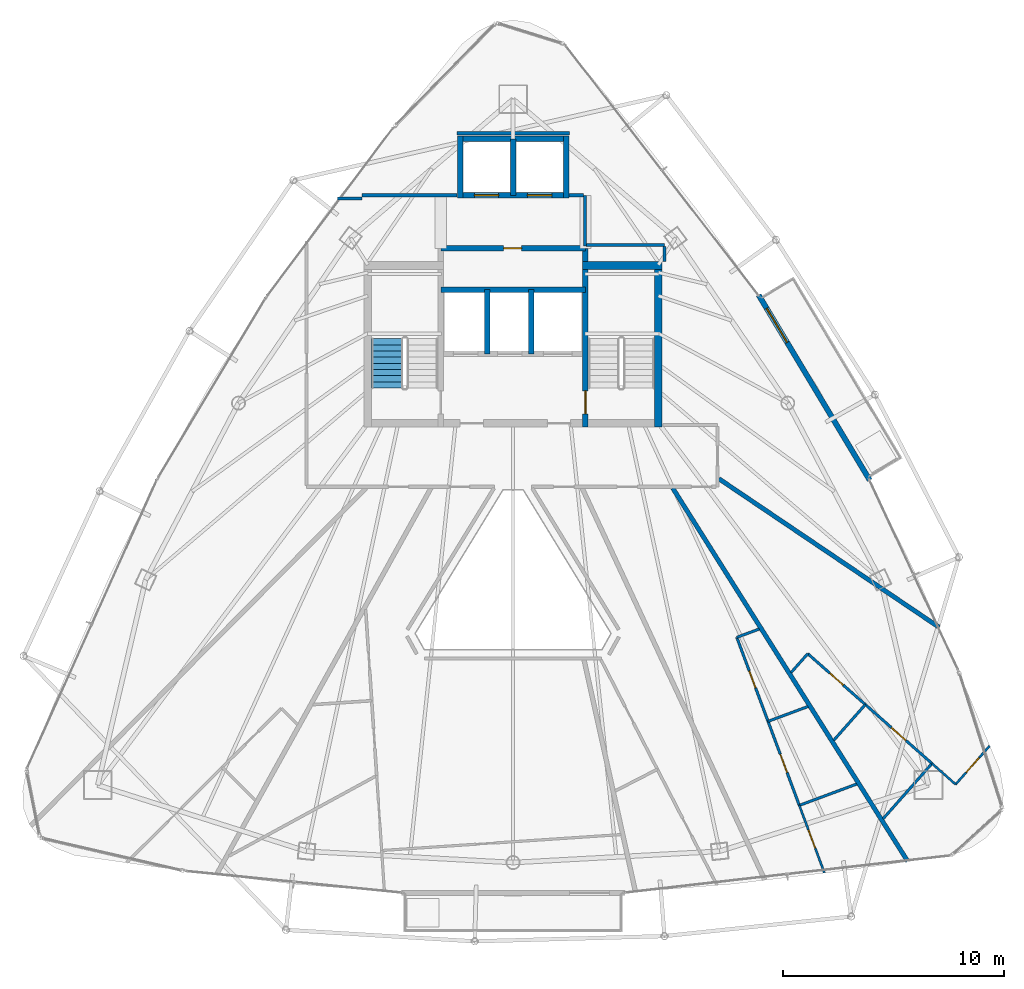
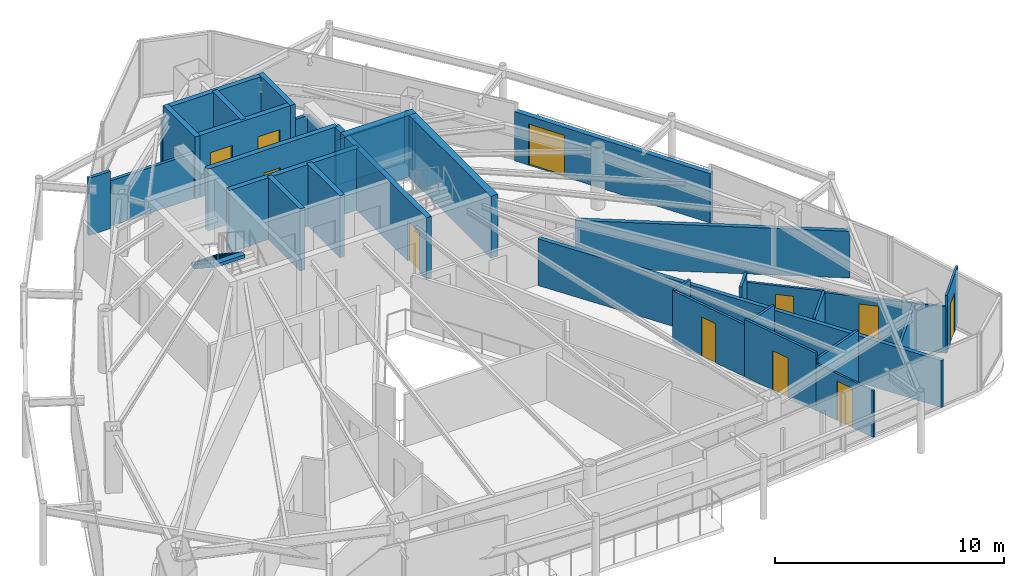
# One storey, part 26 of 29: 35 walls, 11 doors, 1 stair flight, 11 openings, 1 element without a shape of its own.
"""IFC4 building model written with IfcOpenShell, lengths in metres."""

from ifc_helpers import new_model, si_unit, direction, frame, frame_2d, origin, place, context, subcontext, project, spatial, polyline, rectangle, outline, extrude, material, layer, layer_set, type_object, element, fill, aggregate, save


model = new_model("IFC4")

# Units and contexts
model_context = context("Model", 3, precision=1e-05, world=origin(), true_north=direction((0.0, 1.0)))
body_context = subcontext(model_context, "Body", "Model", "MODEL_VIEW")
ifc_project = project(units=[si_unit("LENGTHUNIT", "METRE"), si_unit("AREAUNIT", "SQUARE_METRE"), si_unit("VOLUMEUNIT", "CUBIC_METRE"), si_unit("PLANEANGLEUNIT", "RADIAN"), si_unit("MASSUNIT", "GRAM", prefix="KILO")], contexts=[model_context])

# Site, building, storey
site_placement = place(None, origin())
site = spatial("IfcSite", under=ifc_project, at=site_placement, CompositionType="ELEMENT")
building_placement = place(site_placement, origin())
building = spatial("IfcBuilding", under=site, at=building_placement, Name="Orvanel Arch Residences", CompositionType="ELEMENT")
storey_placement = place(building_placement, frame((0.0, 0.0, 250.25)))
storey = spatial("IfcBuildingStorey", under=building, at=storey_placement, Name="L71", CompositionType="ELEMENT", Elevation=250.25)

# Wall, opening, door
ifc_material_1 = material(Name="Precast concrete N50 (50 MPa)", Category="concrete")
ifc_layer_1 = layer(ifc_material_1, 0.239990234375)
ifc_layer_set_1 = layer_set([ifc_layer_1], Name="Precast concrete N50 (50 MPa)")
wall_type_1 = type_object("IfcWallType", Name="EW-BAL-240", PredefinedType="SOLIDWALL", material=ifc_layer_set_1)
wall_1_placement = place(storey_placement, frame((49.14599609375, 24.14697265625, 0.0), z_axis=(0.0, 0.0, 1.0), x_axis=(-0.514275407092, 0.857625096216, 0.0)))
wall_1 = element("IfcWall", 1, at=wall_1_placement, inside=storey, type_object=wall_type_1, Name="L71 Balcony Threshold Wall Face 3", PredefinedType="SOLIDWALL", context=body_context, shape_type="SweptSolid", body=[
    extrude(rectangle(XDim=9.777099609375, YDim=0.239990234375, at=frame_2d((4.888671875, 0.0))), origin(), (0.0, 0.0, 1.0), 2.6240234375),
])
opening_1_placement = place(wall_1_placement, frame((7.279052734375, 0.0, 0.0)))
opening_1 = element("IfcOpeningElement", 2, at=opening_1_placement, cuts=wall_1, Name="Opening DB-180", PredefinedType="OPENING", context=body_context, shape_type="SweptSolid", body=[
    extrude(rectangle(XDim=1.800048828125, YDim=2.199951171875, at=frame_2d((0.89990234375, 1.10009765625))), frame((0.0, 0.1298828125, 0.0), z_axis=(0.0, -1.0, 0.0), x_axis=(1.0, 0.0, 0.0)), (0.0, 0.0, 1.0), 0.260009765625),
])
ifc_material_2 = material(Name="Bronze-anodised aluminium AA6063-T6", Category="aluminium")
door_type_1 = type_object("IfcDoorType", Name="DR-BAL-1800", OperationType="NOTDEFINED", PredefinedType="DOOR", material=ifc_material_2)
door_1_placement = place(opening_1_placement, origin())
door_1 = element("IfcDoor", 3, at=door_1_placement, inside=storey, type_object=door_type_1, Name="DR-L71-BAL-F3 L71 Planted Balcony Access Door Face 3", OperationType="SINGLE_SWING_RIGHT", OverallHeight=2.199951171875, OverallWidth=1.800048828125, PredefinedType="DOOR", context=body_context, shape_type="SweptSolid", body=[
    extrude(rectangle(XDim=1.800048828125, YDim=2.199951171875, at=frame_2d((0.89990234375, 1.10009765625))), frame((0.0, 0.02490234375, 0.0), z_axis=(0.0, -1.0, 0.0), x_axis=(1.0, 0.0, 0.0)), (0.0, 0.0, 1.0), 0.050048828125),
])
fill(opening_1, door_1)

ifc_material_3 = material(Name="Concrete N50 (50 MPa)", Category="concrete")
ifc_layer_2 = layer(ifc_material_3, 0.25)
ifc_layer_set_2 = layer_set([ifc_layer_2], Name="Concrete N50 (50 MPa)")
wall_type_2 = type_object("IfcWallType", Name="SW-CORE-250", PredefinedType="SHEAR", material=ifc_layer_set_2)
wall_2_placement = place(storey_placement, frame((36.27490234375, 26.550048828125, 0.0), z_axis=(0.0, 0.0, 1.0), x_axis=(0.0, 1.0, 0.0)))
wall_2 = element("IfcWall", 4, at=wall_2_placement, inside=storey, type_object=wall_type_2, Name="L71 East Inner Core Spine Shear Wall", PredefinedType="SHEAR", context=body_context, shape_type="SweptSolid", body=[
    extrude(rectangle(XDim=8.099853515625, YDim=0.25, at=frame_2d((4.0498046875, 0.0))), origin(), (0.0, 0.0, 1.0), 3.300048828125),
])
opening_2_placement = place(wall_2_placement, frame((0.60009765625, 0.0, 0.0)))
opening_2 = element("IfcOpeningElement", 5, at=opening_2_placement, cuts=wall_2, Name="Opening DF-120", PredefinedType="OPENING", context=body_context, shape_type="SweptSolid", body=[
    extrude(rectangle(XDim=1.050048828125, YDim=2.14990234375, at=frame_2d((0.52490234375, 1.074951171875))), frame((0.0, 0.135009765625, 0.0), z_axis=(0.0, -1.0, 0.0), x_axis=(1.0, 0.0, 0.0)), (0.0, 0.0, 1.0), 0.27001953125),
])
ifc_material_4 = material(Name="Galvanised steel fire-resisting door assembly", Category="steel")
door_type_2 = type_object("IfcDoorType", Name="DR-FD120-1050", OperationType="NOTDEFINED", PredefinedType="DOOR", material=ifc_material_4)
door_2_placement = place(opening_2_placement, origin())
door_2 = element("IfcDoor", 6, at=door_2_placement, inside=storey, type_object=door_type_2, Name="DR-L71-ST2 L71 Stair 2 Fire Door", OperationType="SINGLE_SWING_RIGHT", OverallHeight=2.14990234375, OverallWidth=1.050048828125, PredefinedType="DOOR", context=body_context, shape_type="SweptSolid", body=[
    extrude(rectangle(XDim=1.050048828125, YDim=2.14990234375, at=frame_2d((0.52490234375, 1.074951171875))), frame((0.0, 0.02490234375, 0.0), z_axis=(0.0, -1.0, 0.0), x_axis=(1.0, 0.0, 0.0)), (0.0, 0.0, 1.0), 0.050048828125),
])
fill(opening_2, door_2)

# Walls
wall_3_placement = place(storey_placement, frame((29.72509765625, 32.77490234375, 0.0), z_axis=(0.0, 0.0, 1.0), x_axis=(1.0, 0.0, 0.0)))
element("IfcWall", 7, at=wall_3_placement, inside=storey, type_object=wall_type_2, Name="L71 Emergency Lift Back Core Shear Wall", PredefinedType="SHEAR", context=body_context, shape_type="SweptSolid", body=[
    extrude(rectangle(XDim=6.5498046875, YDim=0.25, at=frame_2d((3.27490234375, 0.0))), origin(), (0.0, 0.0, 1.0), 3.300048828125),
])
for number, where, z_axis, x_axis, name in (
    (8, (31.824951171875, 29.875, 0.0), (0.0, 0.0, 1.0), (0.0, 1.0, 0.0), "L71 Emergency Lift Inter-Shaft Wall F12"),
    (9, (33.824951171875, 29.875, 0.0), (0.0, 0.0, 1.0), (0.0, 1.0, 0.0), "L71 Emergency Lift Inter-Shaft Wall F2G"),
):
    element("IfcWall", number, at=place(storey_placement, frame(where, z_axis=z_axis, x_axis=x_axis)), inside=storey, type_object=wall_type_2, Name=name, PredefinedType="SHEAR", context=body_context, shape_type="SweptSolid", body=[
        extrude(rectangle(XDim=2.89990234375, YDim=0.25, at=frame_2d((1.449951171875, 0.0))), origin(), (0.0, 0.0, 1.0), 3.300048828125),
    ])

# Wall, opening, door
wall_4_placement = place(storey_placement, frame((29.72509765625, 34.64990234375, 0.0), z_axis=(0.0, 0.0, 1.0), x_axis=(1.0, 0.0, 0.0)))
wall_4 = element("IfcWall", 10, at=wall_4_placement, inside=storey, type_object=wall_type_2, Name="L71 Core Service Band North Shear Wall", PredefinedType="SHEAR", context=body_context, shape_type="SweptSolid", body=[
    extrude(rectangle(XDim=6.5498046875, YDim=0.25, at=frame_2d((3.27490234375, 0.0))), origin(), (0.0, 0.0, 1.0), 3.300048828125),
])
opening_3_placement = place(wall_4_placement, frame((2.840087890625, 0.0, 0.0)))
opening_3 = element("IfcOpeningElement", 11, at=opening_3_placement, cuts=wall_4, Name="Opening DS-082", PredefinedType="OPENING", context=body_context, shape_type="SweptSolid", body=[
    extrude(rectangle(XDim=0.820068359375, YDim=2.10009765625, at=frame_2d((0.41015625, 1.050048828125))), frame((0.0, 0.135009765625, 0.0), z_axis=(0.0, -1.0, 0.0), x_axis=(1.0, 0.0, 0.0)), (0.0, 0.0, 1.0), 0.27001953125),
])
door_type_3 = type_object("IfcDoorType", Name="DR-SVC-820", OperationType="NOTDEFINED", PredefinedType="DOOR", material=ifc_material_4)
door_3_placement = place(opening_3_placement, origin())
door_3 = element("IfcDoor", 12, at=door_3_placement, inside=storey, type_object=door_type_3, Name="DR-L71-CSVC-1 L71 Housekeeping Linen Store Door", OperationType="SINGLE_SWING_LEFT", OverallHeight=2.10009765625, OverallWidth=0.820068359375, PredefinedType="DOOR", context=body_context, shape_type="SweptSolid", body=[
    extrude(rectangle(XDim=0.820068359375, YDim=2.10009765625, at=frame_2d((0.41015625, 1.050048828125))), frame((0.0, 0.02490234375, 0.0), z_axis=(0.0, -1.0, 0.0), x_axis=(1.0, 0.0, 0.0)), (0.0, 0.0, 1.0), 0.050048828125),
])
fill(opening_3, door_3)

# Wall, openings, doors
wall_5_placement = place(storey_placement, frame((35.52490234375, 37.050048828125, 0.0), z_axis=(0.0, 0.0, 1.0), x_axis=(-1.0, 0.0, 0.0)))
wall_5 = element("IfcWall", 13, at=wall_5_placement, inside=storey, type_object=wall_type_2, Name="L71 Passenger Lift Bank Front Shear Wall", PredefinedType="SHEAR", context=body_context, shape_type="SweptSolid", body=[
    extrude(rectangle(XDim=5.0498046875, YDim=0.25, at=frame_2d((2.52490234375, 0.0))), origin(), (0.0, 0.0, 1.0), 3.300048828125),
])
opening_4_placement = place(wall_5_placement, frame((3.175048828125, 0.0, 0.0)))
opening_4 = element("IfcOpeningElement", 14, at=opening_4_placement, cuts=wall_5, Name="Opening LD-110", PredefinedType="OPENING", context=body_context, shape_type="SweptSolid", body=[
    extrude(rectangle(XDim=1.10009765625, YDim=2.199951171875, at=frame_2d((0.550048828125, 1.10009765625))), frame((0.0, 0.135009765625, 0.0), z_axis=(0.0, -1.0, 0.0), x_axis=(1.0, 0.0, 0.0)), (0.0, 0.0, 1.0), 0.27001953125),
])
opening_5_placement = place(wall_5_placement, frame((0.77490234375, 0.0, 0.0)))
opening_5 = element("IfcOpeningElement", 15, at=opening_5_placement, cuts=wall_5, Name="Opening LD-110", PredefinedType="OPENING", context=body_context, shape_type="SweptSolid", body=[
    extrude(rectangle(XDim=1.10009765625, YDim=2.199951171875, at=frame_2d((0.550048828125, 1.10009765625))), frame((0.0, 0.135009765625, 0.0), z_axis=(0.0, -1.0, 0.0), x_axis=(1.0, 0.0, 0.0)), (0.0, 0.0, 1.0), 0.27001953125),
])
door_type_4 = type_object("IfcDoorType", Name="DR-LFT-1100", OperationType="NOTDEFINED", PredefinedType="DOOR", material=ifc_material_4)
door_4_placement = place(opening_4_placement, origin())
door_4 = element("IfcDoor", 16, at=door_4_placement, inside=storey, type_object=door_type_4, Name="LD-P5-L71 L71 Passenger Lift P5 Sliding Landing Door", OperationType="DOUBLE_DOOR_SLIDING", OverallHeight=2.199951171875, OverallWidth=1.10009765625, PredefinedType="DOOR", context=body_context, shape_type="SweptSolid", body=[
    extrude(rectangle(XDim=1.10009765625, YDim=2.199951171875, at=frame_2d((0.550048828125, 1.10009765625))), frame((0.0, 0.02490234375, 0.0), z_axis=(0.0, -1.0, 0.0), x_axis=(1.0, 0.0, 0.0)), (0.0, 0.0, 1.0), 0.050048828125),
])
fill(opening_4, door_4)
door_5_placement = place(opening_5_placement, origin())
door_5 = element("IfcDoor", 17, at=door_5_placement, inside=storey, type_object=door_type_4, Name="LD-P6-L71 L71 Passenger Lift P6 Sliding Landing Door", OperationType="DOUBLE_DOOR_SLIDING", OverallHeight=2.199951171875, OverallWidth=1.10009765625, PredefinedType="DOOR", context=body_context, shape_type="SweptSolid", body=[
    extrude(rectangle(XDim=1.10009765625, YDim=2.199951171875, at=frame_2d((0.550048828125, 1.10009765625))), frame((0.0, 0.02490234375, 0.0), z_axis=(0.0, -1.0, 0.0), x_axis=(1.0, 0.0, 0.0)), (0.0, 0.0, 1.0), 0.050048828125),
])
fill(opening_5, door_5)

# Walls
wall_6_placement = place(storey_placement, frame((30.47509765625, 39.60009765625, 0.0), z_axis=(0.0, 0.0, 1.0), x_axis=(1.0, 0.0, 0.0)))
element("IfcWall", 18, at=wall_6_placement, inside=storey, type_object=wall_type_2, Name="L71 Passenger Lift Bank North Shear Wall", PredefinedType="SHEAR", context=body_context, shape_type="SweptSolid", body=[
    extrude(rectangle(XDim=5.0498046875, YDim=0.25, at=frame_2d((2.52490234375, 0.0))), origin(), (0.0, 0.0, 1.0), 3.300048828125),
])
for number, where, z_axis, x_axis, name in (
    (19, (30.60009765625, 36.925048828125, 0.0), (0.0, 0.0, 1.0), (0.0, 1.0, 0.0), "L71 Passenger Lift Bank West Shear Wall"),
    (20, (35.39990234375, 36.925048828125, 0.0), (0.0, 0.0, 1.0), (0.0, 1.0, 0.0), "L71 Passenger Lift Bank East Shear Wall"),
):
    element("IfcWall", number, at=place(storey_placement, frame(where, z_axis=z_axis, x_axis=x_axis)), inside=storey, type_object=wall_type_2, Name=name, PredefinedType="SHEAR", context=body_context, shape_type="SweptSolid", body=[
        extrude(rectangle(XDim=2.800048828125, YDim=0.25, at=frame_2d((1.39990234375, 0.0))), origin(), (0.0, 0.0, 1.0), 3.300048828125),
    ])
wall_7_placement = place(storey_placement, frame((33.0, 37.050048828125, 0.0), z_axis=(0.0, 0.0, 1.0), x_axis=(0.0, 1.0, 0.0)))
element("IfcWall", 21, at=wall_7_placement, inside=storey, type_object=wall_type_2, Name="L71 Passenger Lift Inter-Shaft Wall P56", PredefinedType="SHEAR", context=body_context, shape_type="SweptSolid", body=[
    extrude(rectangle(XDim=2.550048828125, YDim=0.25, at=frame_2d((1.27490234375, 0.0))), origin(), (0.0, 0.0, 1.0), 3.300048828125),
])
ifc_layer_3 = layer(ifc_material_3, 0.35009765625)
ifc_layer_set_3 = layer_set([ifc_layer_3], Name="Concrete N50 (50 MPa)")
wall_type_3 = type_object("IfcWallType", Name="SW-CORE-350", PredefinedType="SHEAR", material=ifc_layer_set_3)
wall_8_placement = place(storey_placement, frame((39.574951171875, 26.550048828125, 0.0), z_axis=(0.0, 0.0, 1.0), x_axis=(0.0, 1.0, 0.0)))
element("IfcWall", 22, at=wall_8_placement, inside=storey, type_object=wall_type_3, Name="L71 East Stair Shear Wall", PredefinedType="SHEAR", context=body_context, shape_type="SweptSolid", body=[
    extrude(rectangle(XDim=7.5, YDim=0.35009765625, at=frame_2d((3.75, 0.0))), origin(), (0.0, 0.0, 1.0), 3.300048828125),
])
wall_9_placement = place(storey_placement, frame((36.14990234375, 33.875, 0.0), z_axis=(0.0, 0.0, 1.0), x_axis=(1.0, 0.0, 0.0)))
element("IfcWall", 23, at=wall_9_placement, inside=storey, type_object=wall_type_3, Name="L71 East Stair North Shear Wall", PredefinedType="SHEAR", context=body_context, shape_type="SweptSolid", body=[
    extrude(rectangle(XDim=3.60009765625, YDim=0.35009765625, at=frame_2d((1.800048828125, 0.0))), origin(), (0.0, 0.0, 1.0), 3.300048828125),
])
ifc_material_5 = material(Name="Fire-rated plasterboard lined steel stud partition", Category="steel")
ifc_layer_4 = layer(ifc_material_5, 0.14990234375)
ifc_layer_set_4 = layer_set([ifc_layer_4], Name="Fire-rated plasterboard lined steel stud partition")
wall_type_4 = type_object("IfcWallType", Name="W-COR-150", PredefinedType="PARTITIONING", material=ifc_layer_set_4)
wall_10_placement = place(storey_placement, frame((36.25, 34.760009765625, 0.0), z_axis=(0.0, 0.0, 1.0), x_axis=(0.0, 1.0, 0.0)))
element("IfcWall", 24, at=wall_10_placement, inside=storey, type_object=wall_type_4, Name="L71 Passenger Lift Lobby East Closure Wall", PredefinedType="PARTITIONING", context=body_context, shape_type="SweptSolid", body=[
    extrude(rectangle(XDim=2.2900390625, YDim=0.14990234375, at=frame_2d((1.14501953125, 0.0))), origin(), (0.0, 0.0, 1.0), 2.425048828125),
])
wall_11_placement = place(storey_placement, frame((35.52490234375, 37.050048828125, 0.0), z_axis=(0.0, 0.0, 1.0), x_axis=(1.0, 0.0, 0.0)))
element("IfcWall", 25, at=wall_11_placement, inside=storey, type_object=wall_type_4, Name="L71 Passenger Lift Lobby North-East Wall", PredefinedType="PARTITIONING", context=body_context, shape_type="SweptSolid", body=[
    extrude(rectangle(XDim=0.6650390625, YDim=0.14990234375, at=frame_2d((0.33251953125, 0.0))), origin(), (0.0, 0.0, 1.0), 2.425048828125),
])
wall_12_placement = place(storey_placement, frame((25.05810546875, 36.89990234375, 0.0), z_axis=(0.0, 0.0, 1.0), x_axis=(1.0, 0.0, 0.0)))
element("IfcWall", 26, at=wall_12_placement, inside=storey, type_object=wall_type_4, Name="L71 Corridor Fire-Rated Partition", PredefinedType="PARTITIONING", context=body_context, shape_type="SweptSolid", body=[
    extrude(rectangle(XDim=1.091796875, YDim=0.14990234375, at=frame_2d((0.5458984375, 0.0))), origin(), (0.0, 0.0, 1.0), 3.06005859375),
])
wall_13_placement = place(storey_placement, frame((26.14990234375, 37.050048828125, 0.0), z_axis=(0.0, 0.0, 1.0), x_axis=(1.0, 0.0, 0.0)))
element("IfcWall", 27, at=wall_13_placement, inside=storey, type_object=wall_type_4, Name="L71 Core Perimeter Partition", PredefinedType="PARTITIONING", context=body_context, shape_type="SweptSolid", body=[
    extrude(rectangle(XDim=4.300048828125, YDim=0.14990234375, at=frame_2d((2.14990234375, 0.0))), origin(), (0.0, 0.0, 1.0), 2.425048828125),
])
wall_14_placement = place(storey_placement, frame((30.449951171875, 39.85009765625, 0.0), z_axis=(0.0, 0.0, 1.0), x_axis=(1.0, 0.0, 0.0)))
element("IfcWall", 28, at=wall_14_placement, inside=storey, type_object=wall_type_4, Name="L71 Core Perimeter Partition", PredefinedType="PARTITIONING", context=body_context, shape_type="SweptSolid", body=[
    extrude(rectangle(XDim=5.10009765625, YDim=0.14990234375, at=frame_2d((2.550048828125, 0.0))), origin(), (0.0, 0.0, 1.0), 2.491943359375),
])
wall_15_placement = place(storey_placement, frame((36.31005859375, 34.800048828125, 0.0), z_axis=(0.0, 0.0, 1.0), x_axis=(1.0, 0.0, 0.0)))
element("IfcWall", 29, at=wall_15_placement, inside=storey, type_object=wall_type_4, Name="L71 Core Perimeter Partition", PredefinedType="PARTITIONING", context=body_context, shape_type="SweptSolid", body=[
    extrude(rectangle(XDim=3.5400390625, YDim=0.14990234375, at=frame_2d((1.77001953125, 0.0))), origin(), (0.0, 0.0, 1.0), 2.425048828125),
])
wall_16_placement = place(storey_placement, frame((39.85009765625, 34.739990234375, 0.0), z_axis=(0.0, 0.0, 1.0), x_axis=(0.0, -1.0, 0.0)))
element("IfcWall", 30, at=wall_16_placement, inside=storey, type_object=wall_type_4, Name="L71 Core Perimeter Partition", PredefinedType="PARTITIONING", context=body_context, shape_type="SweptSolid", body=[
    extrude(rectangle(XDim=0.68994140625, YDim=0.14990234375, at=frame_2d((0.344970703125, 0.0))), origin(), (0.0, 0.0, 1.0), 2.77294921875),
])
ifc_layer_5 = layer(ifc_material_5, 0.199951171875)
ifc_layer_set_5 = layer_set([ifc_layer_5], Name="Fire-rated plasterboard lined steel stud partition")
wall_type_5 = type_object("IfcWallType", Name="W-DEM-200", PredefinedType="PARTITIONING", material=ifc_layer_set_5)
wall_17_placement = place(storey_placement, frame((52.283935546875, 17.492919921875, 0.0), z_axis=(0.0, 0.0, 1.0), x_axis=(-0.829053532208, 0.559169241584, 0.0)))
element("IfcWall", 31, at=wall_17_placement, inside=storey, type_object=wall_type_5, Name="L71 Inter-Tenancy Acoustic Demising Wall", PredefinedType="PARTITIONING", context=body_context, shape_type="SweptSolid", body=[
    extrude(rectangle(XDim=12.030517578125, YDim=0.199951171875, at=frame_2d((6.01513671875, 0.0))), origin(), (0.0, 0.0, 1.0), 2.491943359375),
])
wall_18_placement = place(storey_placement, frame((50.863037109375, 6.89892578125, 0.0), z_axis=(0.0, 0.0, 1.0), x_axis=(-0.532843438342, 0.846213844259, 0.0)))
element("IfcWall", 32, at=wall_18_placement, inside=storey, type_object=wall_type_5, Name="L71 Inter-Tenancy Acoustic Demising Wall", PredefinedType="PARTITIONING", context=body_context, shape_type="SweptSolid", body=[
    extrude(rectangle(XDim=19.960693359375, YDim=0.199951171875, at=frame_2d((9.98046875, 0.0))), origin(), (0.0, 0.0, 1.0), 2.491943359375),
])

# Wall, opening, door
ifc_material_6 = material(Name="Acoustic plasterboard lined twin-stud partition", Category="gypsum")
ifc_layer_6 = layer(ifc_material_6, 0.10009765625)
ifc_layer_set_6 = layer_set([ifc_layer_6], Name="Acoustic plasterboard lined twin-stud partition")
wall_type_6 = type_object("IfcWallType", Name="W-INT-100", PredefinedType="PARTITIONING", material=ifc_layer_set_6)
wall_19_placement = place(storey_placement, frame((54.56689453125, 12.1220703125, 0.0), z_axis=(0.0, 0.0, 1.0), x_axis=(-0.662212906575, -0.749315732095, 0.0)))
wall_19 = element("IfcWall", 33, at=wall_19_placement, inside=storey, type_object=wall_type_6, Name="L71 Studio E Internal Partition", PredefinedType="PARTITIONING", context=body_context, shape_type="SweptSolid", body=[
    extrude(rectangle(XDim=2.32080078125, YDim=0.10009765625, at=frame_2d((1.160400390625, 0.0))), origin(), (0.0, 0.0, 1.0), 3.06005859375),
])
opening_6_placement = place(wall_19_placement, frame((0.719970703125, 0.0, 0.0)))
opening_6 = element("IfcOpeningElement", 34, at=opening_6_placement, cuts=wall_19, Name="Opening DI-088", PredefinedType="OPENING", context=body_context, shape_type="SweptSolid", body=[
    extrude(rectangle(XDim=0.8798828125, YDim=2.10009765625, at=frame_2d((0.43994140625, 1.050048828125))), frame((0.0, 0.06005859375, 0.0), z_axis=(0.0, -1.0, 0.0), x_axis=(1.0, 0.0, 0.0)), (0.0, 0.0, 1.0), 0.1201171875),
])
ifc_material_7 = material(Name="Solid-core European oak veneer fire door leaf", Category="wood")
door_type_5 = type_object("IfcDoorType", Name="DR-INT-880", OperationType="NOTDEFINED", PredefinedType="DOOR", material=ifc_material_7)
door_6_placement = place(opening_6_placement, origin())
door_6 = element("IfcDoor", 35, at=door_6_placement, inside=storey, type_object=door_type_5, Name="DR-L71-E-DIN1 L71 Studio E Dining Room 1 Door", OperationType="SINGLE_SWING_LEFT", OverallHeight=2.10009765625, OverallWidth=0.8798828125, PredefinedType="DOOR", context=body_context, shape_type="SweptSolid", body=[
    extrude(rectangle(XDim=0.8798828125, YDim=2.10009765625, at=frame_2d((0.43994140625, 1.050048828125))), frame((0.0, 0.02490234375, 0.0), z_axis=(0.0, -1.0, 0.0), x_axis=(1.0, 0.0, 0.0)), (0.0, 0.0, 1.0), 0.050048828125),
])
fill(opening_6, door_6)

# Wall
wall_20_placement = place(storey_placement, frame((53.030029296875, 10.383056640625, 0.0), z_axis=(0.0, 0.0, 1.0), x_axis=(-0.749313288423, 0.66221567166, 0.0)))
element("IfcWall", 36, at=wall_20_placement, inside=storey, type_object=wall_type_6, Name="L71 Studio E Internal Partition", PredefinedType="PARTITIONING", context=body_context, shape_type="SweptSolid", body=[
    extrude(rectangle(XDim=1.4267578125, YDim=0.10009765625, at=frame_2d((0.71337890625, 0.0))), origin(), (0.0, 0.0, 1.0), 2.491943359375),
])

# Wall, opening, door
wall_21_placement = place(storey_placement, frame((45.955078125, 9.431884765625, 0.0), z_axis=(0.0, 0.0, 1.0), x_axis=(0.34888547359, -0.937165367647, 0.0)))
wall_21 = element("IfcWall", 37, at=wall_21_placement, inside=storey, type_object=wall_type_6, Name="L71 Studio F Internal Partition", PredefinedType="PARTITIONING", context=body_context, shape_type="SweptSolid", body=[
    extrude(rectangle(XDim=3.253173828125, YDim=0.10009765625, at=frame_2d((1.62646484375, 0.0))), origin(), (0.0, 0.0, 1.0), 2.491943359375),
])
opening_7_placement = place(wall_21_placement, frame((1.18701171875, 0.0, 0.0)))
opening_7 = element("IfcOpeningElement", 38, at=opening_7_placement, cuts=wall_21, Name="Opening DI-088", PredefinedType="OPENING", context=body_context, shape_type="SweptSolid", body=[
    extrude(rectangle(XDim=0.8798828125, YDim=2.10009765625, at=frame_2d((0.43994140625, 1.050048828125))), frame((0.0, 0.06005859375, 0.0), z_axis=(0.0, -1.0, 0.0), x_axis=(1.0, 0.0, 0.0)), (0.0, 0.0, 1.0), 0.1201171875),
])
door_7_placement = place(opening_7_placement, origin())
door_7 = element("IfcDoor", 39, at=door_7_placement, inside=storey, type_object=door_type_5, Name="DR-L71-F-DIN1 L71 Studio F Dining Room 1 Door", OperationType="SINGLE_SWING_LEFT", OverallHeight=2.10009765625, OverallWidth=0.8798828125, PredefinedType="DOOR", context=body_context, shape_type="SweptSolid", body=[
    extrude(rectangle(XDim=0.8798828125, YDim=2.10009765625, at=frame_2d((0.43994140625, 1.050048828125))), frame((0.0, 0.02490234375, 0.0), z_axis=(0.0, -1.0, 0.0), x_axis=(1.0, 0.0, 0.0)), (0.0, 0.0, 1.0), 0.050048828125),
])
fill(opening_7, door_7)

ifc_layer_7 = layer(ifc_material_6, 0.1201171875)
ifc_layer_set_7 = layer_set([ifc_layer_7], Name="Acoustic plasterboard lined twin-stud partition")
wall_type_7 = type_object("IfcWallType", Name="W-WET-120", PredefinedType="PARTITIONING", material=ifc_layer_set_7)
wall_22_placement = place(storey_placement, frame((48.943115234375, 13.9951171875, 0.0), z_axis=(0.0, 0.0, 1.0), x_axis=(-0.749231040751, 0.662308725275, 0.0)))
wall_22 = element("IfcWall", 40, at=wall_22_placement, inside=storey, type_object=wall_type_7, Name="L71 Studio E Bathroom Partition", PredefinedType="PARTITIONING", context=body_context, shape_type="SweptSolid", body=[
    extrude(rectangle(XDim=3.477294921875, YDim=0.1201171875, at=frame_2d((1.73876953125, 0.0))), origin(), (0.0, 0.0, 1.0), 2.56494140625),
])
opening_8_placement = place(wall_22_placement, frame((1.3291015625, 0.0, 0.0)))
opening_8 = element("IfcOpeningElement", 41, at=opening_8_placement, cuts=wall_22, Name="Opening DW-082", PredefinedType="OPENING", context=body_context, shape_type="SweptSolid", body=[
    extrude(rectangle(XDim=0.820068359375, YDim=2.10009765625, at=frame_2d((0.41015625, 1.050048828125))), frame((0.0, 0.070068359375, 0.0), z_axis=(0.0, -1.0, 0.0), x_axis=(1.0, 0.0, 0.0)), (0.0, 0.0, 1.0), 0.14013671875),
])
door_type_6 = type_object("IfcDoorType", Name="DR-WET-820", OperationType="NOTDEFINED", PredefinedType="DOOR", material=ifc_material_7)
door_8_placement = place(opening_8_placement, origin())
door_8 = element("IfcDoor", 42, at=door_8_placement, inside=storey, type_object=door_type_6, Name="DR-L71-E-BATH L71 Studio E Bathroom Door", OperationType="SINGLE_SWING_RIGHT", OverallHeight=2.10009765625, OverallWidth=0.820068359375, PredefinedType="DOOR", context=body_context, shape_type="SweptSolid", body=[
    extrude(rectangle(XDim=0.820068359375, YDim=2.10009765625, at=frame_2d((0.41015625, 1.050048828125))), frame((0.0, 0.02490234375, 0.0), z_axis=(0.0, -1.0, 0.0), x_axis=(1.0, 0.0, 0.0)), (0.0, 0.0, 1.0), 0.050048828125),
])
fill(opening_8, door_8)

# Wall
wall_23_placement = place(storey_placement, frame((46.337890625, 16.298095703125, 0.0), z_axis=(0.0, 0.0, 1.0), x_axis=(-0.662287293934, -0.749249985181, 0.0)))
element("IfcWall", 43, at=wall_23_placement, inside=storey, type_object=wall_type_7, Name="L71 Studio E Bathroom Partition", PredefinedType="PARTITIONING", context=body_context, shape_type="SweptSolid", body=[
    extrude(rectangle(XDim=1.139892578125, YDim=0.1201171875, at=frame_2d((0.56982421875, 0.0))), origin(), (0.0, 0.0, 1.0), 3.06005859375),
])

# Wall, opening, door
wall_24_placement = place(storey_placement, frame((51.9609375, 11.327880859375, 0.0), z_axis=(0.0, 0.0, 1.0), x_axis=(-0.749289212621, 0.662242913024, 0.0)))
wall_24 = element("IfcWall", 44, at=wall_24_placement, inside=storey, type_object=wall_type_7, Name="L71 Studio E Internal Partition", PredefinedType="PARTITIONING", context=body_context, shape_type="SweptSolid", body=[
    extrude(rectangle(XDim=4.027587890625, YDim=0.1201171875, at=frame_2d((2.013671875, 0.0))), origin(), (0.0, 0.0, 1.0), 2.491943359375),
])
opening_9_placement = place(wall_24_placement, frame((1.573974609375, 0.0, 0.0)))
opening_9 = element("IfcOpeningElement", 45, at=opening_9_placement, cuts=wall_24, Name="Opening DI-088", PredefinedType="OPENING", context=body_context, shape_type="SweptSolid", body=[
    extrude(rectangle(XDim=0.8798828125, YDim=2.10009765625, at=frame_2d((0.43994140625, 1.050048828125))), frame((0.0, 0.070068359375, 0.0), z_axis=(0.0, -1.0, 0.0), x_axis=(1.0, 0.0, 0.0)), (0.0, 0.0, 1.0), 0.14013671875),
])
door_9_placement = place(opening_9_placement, origin())
door_9 = element("IfcDoor", 46, at=door_9_placement, inside=storey, type_object=door_type_5, Name="DR-L71-E-KIT L71 Studio E Kitchenette Door", OperationType="SINGLE_SWING_LEFT", OverallHeight=2.10009765625, OverallWidth=0.8798828125, PredefinedType="DOOR", context=body_context, shape_type="SweptSolid", body=[
    extrude(rectangle(XDim=0.8798828125, YDim=2.10009765625, at=frame_2d((0.43994140625, 1.050048828125))), frame((0.0, 0.02490234375, 0.0), z_axis=(0.0, -1.0, 0.0), x_axis=(1.0, 0.0, 0.0)), (0.0, 0.0, 1.0), 0.050048828125),
])
fill(opening_9, door_9)

# Walls
wall_25_placement = place(storey_placement, frame((48.943115234375, 13.9951171875, 0.0), z_axis=(0.0, 0.0, 1.0), x_axis=(-0.662212567735, -0.749316031547, 0.0)))
element("IfcWall", 47, at=wall_25_placement, inside=storey, type_object=wall_type_7, Name="L71 Studio E Bathroom Partition", PredefinedType="PARTITIONING", context=body_context, shape_type="SweptSolid", body=[
    extrude(rectangle(XDim=2.158203125, YDim=0.1201171875, at=frame_2d((1.0791015625, 0.0))), origin(), (0.0, 0.0, 1.0), 2.56494140625),
])
wall_26_placement = place(storey_placement, frame((51.9609375, 11.327880859375, 0.0), z_axis=(0.0, 0.0, 1.0), x_axis=(-0.662327669466, -0.74921429395, 0.0)))
element("IfcWall", 48, at=wall_26_placement, inside=storey, type_object=wall_type_7, Name="L71 Studio E Internal Partition", PredefinedType="PARTITIONING", context=body_context, shape_type="SweptSolid", body=[
    extrude(rectangle(XDim=3.338134765625, YDim=0.1201171875, at=frame_2d((1.6689453125, 0.0))), origin(), (0.0, 0.0, 1.0), 2.491943359375),
])
wall_27_placement = place(storey_placement, frame((44.14111328125, 17.4150390625, 0.0), z_axis=(0.0, 0.0, 1.0), x_axis=(-0.937563848777, -0.347813210599, 0.0)))
element("IfcWall", 49, at=wall_27_placement, inside=storey, type_object=wall_type_7, Name="L71 Studio F Bathroom Partition", PredefinedType="PARTITIONING", context=body_context, shape_type="SweptSolid", body=[
    extrude(rectangle(XDim=1.083740234375, YDim=0.1201171875, at=frame_2d((0.5419921875, 0.0))), origin(), (0.0, 0.0, 1.0), 2.77294921875),
])

# Wall, opening, door
wall_28_placement = place(storey_placement, frame((43.125, 17.0380859375, 0.0), z_axis=(0.0, 0.0, 1.0), x_axis=(0.348728795746, -0.937223680355, 0.0)))
wall_28 = element("IfcWall", 50, at=wall_28_placement, inside=storey, type_object=wall_type_7, Name="L71 Studio F Bathroom Partition", PredefinedType="PARTITIONING", context=body_context, shape_type="SweptSolid", body=[
    extrude(rectangle(XDim=4.0576171875, YDim=0.1201171875, at=frame_2d((2.02880859375, 0.0))), origin(), (0.0, 0.0, 1.0), 2.77294921875),
])
opening_10_placement = place(wall_28_placement, frame((1.618896484375, 0.0, 0.0)))
opening_10 = element("IfcOpeningElement", 51, at=opening_10_placement, cuts=wall_28, Name="Opening DW-082", PredefinedType="OPENING", context=body_context, shape_type="SweptSolid", body=[
    extrude(rectangle(XDim=0.820068359375, YDim=2.10009765625, at=frame_2d((0.41015625, 1.050048828125))), frame((0.0, 0.070068359375, 0.0), z_axis=(0.0, -1.0, 0.0), x_axis=(1.0, 0.0, 0.0)), (0.0, 0.0, 1.0), 0.14013671875),
])
door_10_placement = place(opening_10_placement, origin())
door_10 = element("IfcDoor", 52, at=door_10_placement, inside=storey, type_object=door_type_6, Name="DR-L71-F-BATH L71 Studio F Bathroom Door", OperationType="SINGLE_SWING_RIGHT", OverallHeight=2.10009765625, OverallWidth=0.820068359375, PredefinedType="DOOR", context=body_context, shape_type="SweptSolid", body=[
    extrude(rectangle(XDim=0.820068359375, YDim=2.10009765625, at=frame_2d((0.41015625, 1.050048828125))), frame((0.0, 0.02490234375, 0.0), z_axis=(0.0, -1.0, 0.0), x_axis=(1.0, 0.0, 0.0)), (0.0, 0.0, 1.0), 0.050048828125),
])
fill(opening_10, door_10)

wall_29_placement = place(storey_placement, frame((44.5400390625, 13.235107421875, 0.0), z_axis=(0.0, 0.0, 1.0), x_axis=(0.348709131935, -0.937230996769, 0.0)))
wall_29 = element("IfcWall", 53, at=wall_29_placement, inside=storey, type_object=wall_type_7, Name="L71 Studio F Internal Partition", PredefinedType="PARTITIONING", context=body_context, shape_type="SweptSolid", body=[
    extrude(rectangle(XDim=4.057861328125, YDim=0.1201171875, at=frame_2d((2.02880859375, 0.0))), origin(), (0.0, 0.0, 1.0), 3.06005859375),
])
opening_11_placement = place(wall_29_placement, frame((1.589111328125, 0.0, 0.0)))
opening_11 = element("IfcOpeningElement", 54, at=opening_11_placement, cuts=wall_29, Name="Opening DI-088", PredefinedType="OPENING", context=body_context, shape_type="SweptSolid", body=[
    extrude(rectangle(XDim=0.8798828125, YDim=2.10009765625, at=frame_2d((0.43994140625, 1.050048828125))), frame((0.0, 0.070068359375, 0.0), z_axis=(0.0, -1.0, 0.0), x_axis=(1.0, 0.0, 0.0)), (0.0, 0.0, 1.0), 0.14013671875),
])
door_11_placement = place(opening_11_placement, origin())
door_11 = element("IfcDoor", 55, at=door_11_placement, inside=storey, type_object=door_type_5, Name="DR-L71-F-KIT L71 Studio F Kitchenette Door", OperationType="SINGLE_SWING_LEFT", OverallHeight=2.10009765625, OverallWidth=0.8798828125, PredefinedType="DOOR", context=body_context, shape_type="SweptSolid", body=[
    extrude(rectangle(XDim=0.8798828125, YDim=2.10009765625, at=frame_2d((0.43994140625, 1.050048828125))), frame((0.0, 0.02490234375, 0.0), z_axis=(0.0, -1.0, 0.0), x_axis=(1.0, 0.0, 0.0)), (0.0, 0.0, 1.0), 0.050048828125),
])
fill(opening_11, door_11)

# Walls
wall_30_placement = place(storey_placement, frame((46.34912109375, 13.907958984375, 0.0), z_axis=(0.0, 0.0, 1.0), x_axis=(-0.937271835507, -0.348599349347, 0.0)))
element("IfcWall", 56, at=wall_30_placement, inside=storey, type_object=wall_type_7, Name="L71 Studio F Bathroom Partition", PredefinedType="PARTITIONING", context=body_context, shape_type="SweptSolid", body=[
    extrude(rectangle(XDim=1.93017578125, YDim=0.1201171875, at=frame_2d((0.965087890625, 0.0))), origin(), (0.0, 0.0, 1.0), 2.77294921875),
])
wall_31_placement = place(storey_placement, frame((48.55810546875, 10.39990234375, 0.0), z_axis=(0.0, 0.0, 1.0), x_axis=(-0.937286649549, -0.34855951655, 0.0)))
element("IfcWall", 57, at=wall_31_placement, inside=storey, type_object=wall_type_7, Name="L71 Studio F Internal Partition", PredefinedType="PARTITIONING", context=body_context, shape_type="SweptSolid", body=[
    extrude(rectangle(XDim=2.777099609375, YDim=0.1201171875, at=frame_2d((1.388671875, 0.0))), origin(), (0.0, 0.0, 1.0), 2.77294921875),
])

# Stair, stair flight
stair_type = type_object("IfcStairType", Name="STR-DOG-184", PredefinedType="USERDEFINED", material=ifc_material_1)
stair_placement = place(storey_placement, origin())
stair = element("IfcStair", 58, at=stair_placement, inside=storey, type_object=stair_type, Name="L71 Fire-Isolated Core Exit Stair 1", ObjectType="TWO_RETURN_STAIR", PredefinedType="USERDEFINED")
stair_flight_type = type_object("IfcStairFlightType", Name="SFL-C1-184", PredefinedType="STRAIGHT", material=ifc_material_1)
stair_flight_placement = place(storey_placement, frame((27.31005859375, 30.56005859375, 1.64990234375), z_axis=(0.0, 0.0, 1.0), x_axis=(0.0, -1.0, 0.0)))
stair_flight = element("IfcStairFlight", 59, at=stair_flight_placement, type_object=stair_flight_type, Name="ST-1 flight 2", NumberOfRisers=9, NumberOfTreads=8, PredefinedType="STRAIGHT", RiserHeight=0.183333333, TreadLength=0.28, context=body_context, shape_type="SweptSolid", body=[
    extrude(outline(polyline([(0.0, 0.0), (0.0, 0.183349609375), (0.280029296875, 0.183349609375), (0.280029296875, 0.36669921875), (0.56005859375, 0.36669921875), (0.56005859375, 0.550048828125), (0.840087890625, 0.550048828125), (0.840087890625, 0.7333984375), (1.1201171875, 0.7333984375), (1.1201171875, 0.916748046875), (1.39990234375, 0.916748046875), (1.39990234375, 1.10009765625), (1.679931640625, 1.10009765625), (1.679931640625, 1.283447265625), (1.9599609375, 1.283447265625), (1.9599609375, 1.466552734375), (2.239990234375, 1.466552734375), (2.239990234375, 1.64990234375), (2.239990234375, 1.28759765625), (0.273681640625, 0.0), (0.0, 0.0)])), frame((0.0, 0.7099609375, 0.0), z_axis=(0.0, -1.0, 0.0), x_axis=(1.0, 0.0, 0.0)), (0.0, 0.0, 1.0), 1.419921875),
])
aggregate(stair, [stair_flight])

save(model, "model.ifc")
